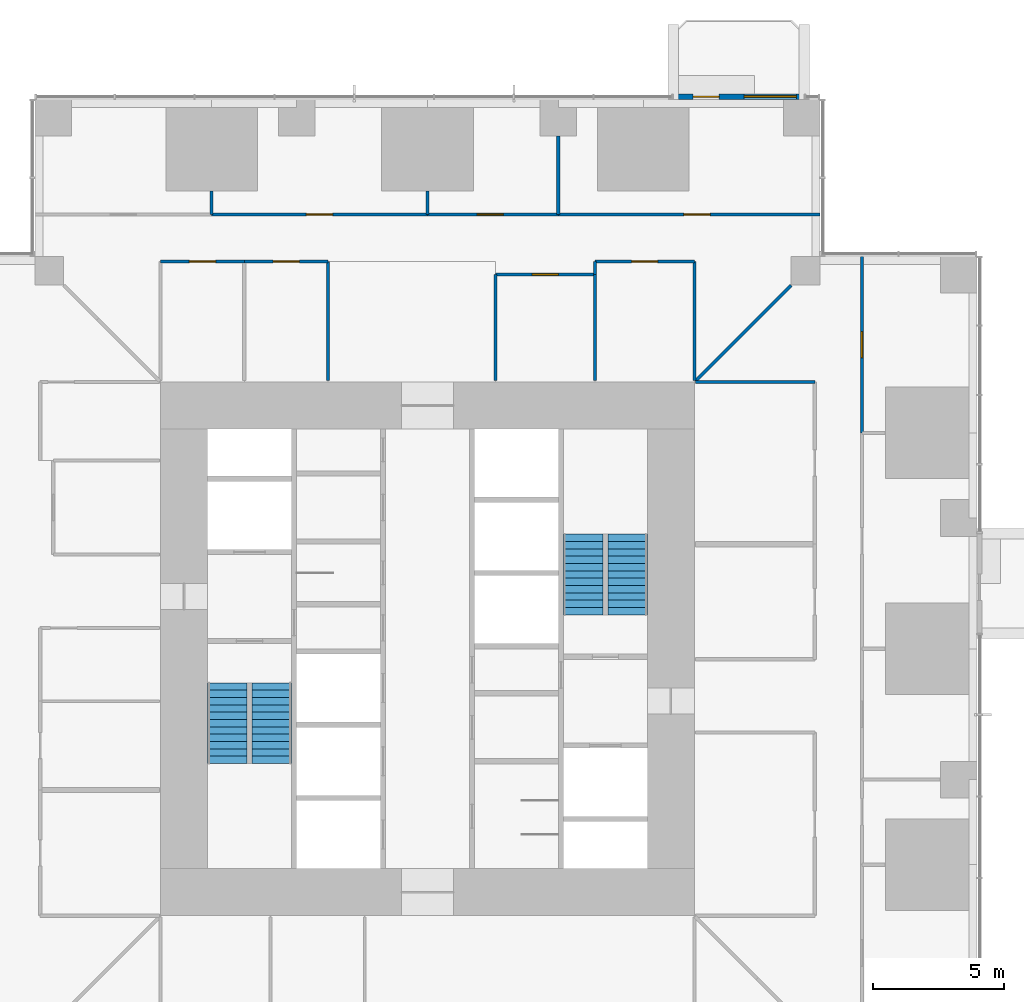
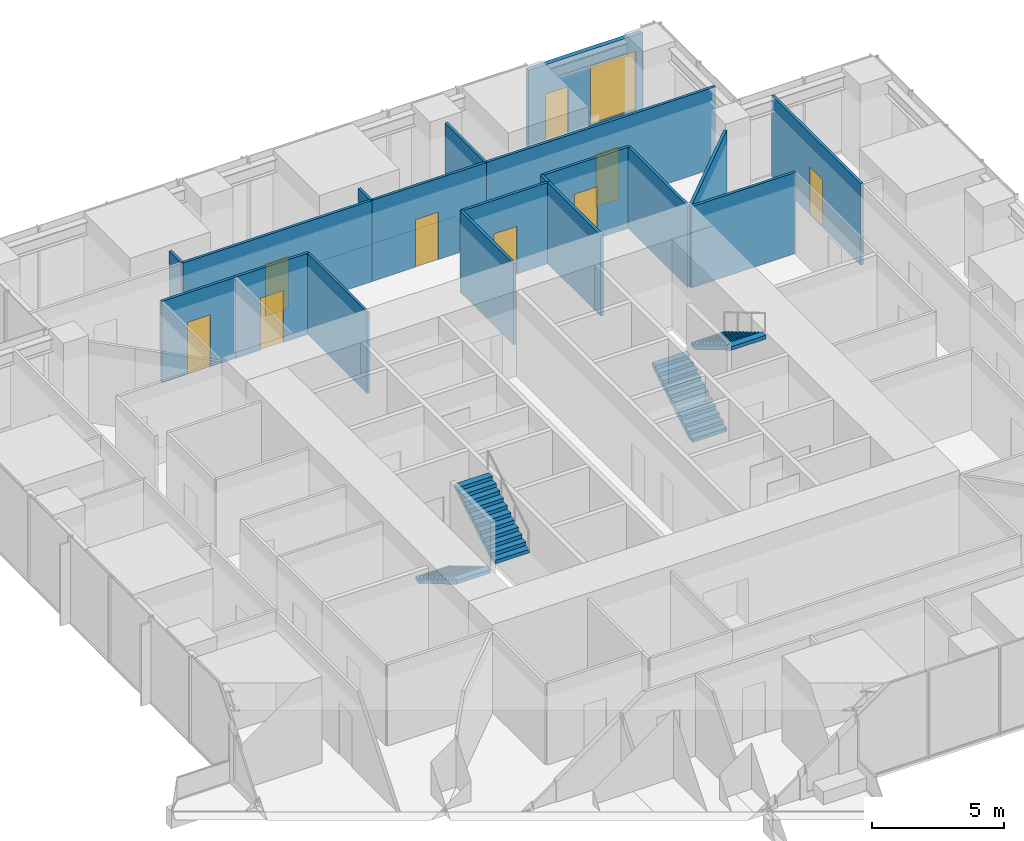
# One storey, part 14 of 18: 19 walls, 9 doors, 4 stair flights, 1 window, 10 openings, 2 elements without a shape of their own.
"""IFC4 building model written with IfcOpenShell, lengths in metres."""

import ifcopenshell
import ifcopenshell.guid

model = None  # the IFC model being written
_history = None  # IfcOwnerHistory: only IFC2X3 demands one
_inside = {}  # id of a spatial element -> (the spatial element, [elements in it])
_under = {}  # id of a project, library or spatial element -> (it, [spatial elements below it])
_declared = {}  # id of a project -> (the project, [libraries it declares])
_typed = {}  # id of a type object -> (the type object, [elements of that type])
_made_of = {}  # id of a material, layer set ... -> (it, [elements and type objects made of it])


def new_model(schema):
    """Start an empty IFC model of exactly this schema.

    Asked for "IFC4X3", IfcOpenShell would pick the latest addendum, in which some entities
    have other attributes; the version numbers below select the first issue.
    IFC2X3 requires an IfcOwnerHistory on every rooted entity: one is made here for all.
    """
    global model, _history
    if schema == "IFC4X3":
        model = ifcopenshell.file(schema_version=(4, 3, 0, 0))
    else:
        model = ifcopenshell.file(schema=schema)
    _inside.clear()
    _under.clear()
    _declared.clear()
    _typed.clear()
    _made_of.clear()
    _history = None
    if model.schema == "IFC2X3":
        org = make("IfcOrganization", Name="unknown")
        user = make(
            "IfcPersonAndOrganization",
            ThePerson=make("IfcPerson", FamilyName="unknown"),
            TheOrganization=org,
        )
        app = make(
            "IfcApplication",
            ApplicationDeveloper=org,
            Version="unknown",
            ApplicationFullName="unknown",
            ApplicationIdentifier="unknown",
        )
        _history = make(
            "IfcOwnerHistory",
            OwningUser=user,
            OwningApplication=app,
            ChangeAction="ADDED",
            CreationDate=0,
        )
    return model


def make(cls, **values):
    """One entity of the class cls with the attributes given. An attribute that is None is left unset."""
    return model.create_entity(
        cls, **{name: value for name, value in values.items() if value is not None}
    )


def rooted(cls, **values):
    """An entity with a GlobalId (a new one), such as an element, a storey or a relation."""
    return make(cls, GlobalId=ifcopenshell.guid.new(), OwnerHistory=_history, **values)


def si_unit(unit_type, name, prefix=None):
    """IfcSIUnit, for example si_unit("LENGTHUNIT", "METRE", prefix="MILLI")."""
    return make("IfcSIUnit", UnitType=unit_type, Prefix=prefix, Name=name)


def assignment(units):
    """IfcUnitAssignment: the units of a project."""
    return None if units is None else make("IfcUnitAssignment", Units=units)


def point(xyz):
    """IfcCartesianPoint."""
    return None if xyz is None else make("IfcCartesianPoint", Coordinates=xyz)


def direction(xyz):
    """IfcDirection."""
    return None if xyz is None else make("IfcDirection", DirectionRatios=xyz)


def frame(location, z_axis=None, x_axis=None):
    """IfcAxis2Placement3D, a coordinate frame: its origin and axes. An axis left out is left unset."""
    return make(
        "IfcAxis2Placement3D",
        Location=point(location),
        Axis=direction(z_axis),
        RefDirection=direction(x_axis),
    )


def frame_2d(location, x_axis=None):
    """IfcAxis2Placement2D, a coordinate frame in the plane: its origin and x axis."""
    return make(
        "IfcAxis2Placement2D", Location=point(location), RefDirection=direction(x_axis)
    )


def origin():
    """The frame at (0, 0, 0) with its axes left unset."""
    return frame((0.0, 0.0, 0.0))


def place(relative_to, where):
    """IfcLocalPlacement: puts the frame where relative to a parent placement (None: the world)."""
    return make(
        "IfcLocalPlacement", PlacementRelTo=relative_to, RelativePlacement=where
    )


def context(
    kind, dimensions, precision=None, world=None, true_north=None, identifier=None
):
    """IfcGeometricRepresentationContext, for example the 3D "Model" context."""
    return make(
        "IfcGeometricRepresentationContext",
        ContextIdentifier=identifier,
        ContextType=kind,
        CoordinateSpaceDimension=dimensions,
        Precision=precision,
        WorldCoordinateSystem=world,
        TrueNorth=true_north,
    )


def subcontext(parent, identifier, kind, view, scale=None):
    """IfcGeometricRepresentationSubContext, for example "Body" below "Model"."""
    return make(
        "IfcGeometricRepresentationSubContext",
        ContextIdentifier=identifier,
        ContextType=kind,
        ParentContext=parent,
        TargetScale=scale,
        TargetView=view,
    )


def project(units=None, contexts=None):
    """IfcProject with its units and contexts."""
    return rooted(
        "IfcProject",
        Name="project",
        RepresentationContexts=contexts,
        UnitsInContext=assignment(units),
    )


def spatial(cls, under=None, at=None, **own):
    """A site, building, storey or space (cls), placed at a placement, below another one or the project."""
    s = rooted(cls, ObjectPlacement=at, **own)
    if under is not None:
        _under.setdefault(under.id(), (under, []))[1].append(s)
    return s


def polyline(points):
    """IfcPolyline through the points."""
    return make("IfcPolyline", Points=[point(p) for p in points])


def profile(cls, at=None, kind="AREA", **sizes):
    """A parametric profile (cls). Its sizes go by their IFC names, for example OverallWidth=200.0."""
    return make(cls, ProfileType=kind, Position=at, **sizes)


def rectangle(**sizes):
    """IfcRectangleProfileDef."""
    return profile("IfcRectangleProfileDef", **sizes)


def outline(outer, holes=None, kind="AREA"):
    """IfcArbitraryClosedProfileDef: a profile drawn as a closed curve; with holes, ...WithVoids."""
    if holes is None:
        return make("IfcArbitraryClosedProfileDef", ProfileType=kind, OuterCurve=outer)
    return make(
        "IfcArbitraryProfileDefWithVoids",
        ProfileType=kind,
        OuterCurve=outer,
        InnerCurves=holes,
    )


def extrude(swept, where, along, depth):
    """IfcExtrudedAreaSolid: the profile swept, set in the frame where, extruded along a direction by depth."""
    return make(
        "IfcExtrudedAreaSolid",
        SweptArea=swept,
        Position=where,
        ExtrudedDirection=direction(along),
        Depth=depth,
    )


def shape(context_of_items, identifier, shape_type, items):
    """IfcShapeRepresentation: the items that make up one representation, for example the "Body"."""
    return make(
        "IfcShapeRepresentation",
        ContextOfItems=context_of_items,
        RepresentationIdentifier=identifier,
        RepresentationType=shape_type,
        Items=items,
    )


def material(Name=None, Category=None):
    """IfcMaterial."""
    return make("IfcMaterial", Name=Name, Category=Category)


def layer(
    of_material, thickness, ventilated=None, Name=None, Category=None, Priority=None
):
    """IfcMaterialLayer: one layer of a wall or slab, of a material (None: an air gap)."""
    return make(
        "IfcMaterialLayer",
        Material=of_material,
        LayerThickness=thickness,
        IsVentilated=ventilated,
        Name=Name,
        Category=Category,
        Priority=Priority,
    )


def layer_set(layers, Name=None):
    """IfcMaterialLayerSet."""
    return make("IfcMaterialLayerSet", MaterialLayers=layers, LayerSetName=Name)


def made_of(thing, what):
    """Note that an element or type object is made of a material, layer set ...; save() writes the relation."""
    if what is not None:
        _made_of.setdefault(what.id(), (what, []))[1].append(thing)
    return thing


def type_object(cls, material=None, **own):
    """A type object (cls), such as IfcWallType, which elements share."""
    return made_of(rooted(cls, **own), material)


def element(
    cls,
    number,
    at=None,
    inside=None,
    cuts=None,
    type_object=None,
    material=None,
    context=None,
    identifier="Body",
    shape_type=None,
    held_by="IfcProductDefinitionShape",
    body=None,
    shapes=None,
    **own,
):
    """One element of the class cls, such as IfcWall. Its Tag is "e" and its number.

    at: its placement. inside: the storey or other place that contains it. cuts: it is an
    opening in that element (IfcRelVoidsElement). A single representation is given by context,
    identifier, shape_type and body (its items); several are given by shapes. held_by: the class
    of the entity that holds the representations. save() writes the other relations.
    """
    e = rooted(cls, Tag="e%d" % number, ObjectPlacement=at, **own)
    if body is not None:
        shapes = [shape(context, identifier, shape_type, body)]
    if shapes is not None:
        e.Representation = make(held_by, Representations=shapes)
    if inside is not None:
        _inside.setdefault(inside.id(), (inside, []))[1].append(e)
    if cuts is not None:
        rooted(
            "IfcRelVoidsElement", RelatingBuildingElement=cuts, RelatedOpeningElement=e
        )
    if type_object is not None:
        _typed.setdefault(type_object.id(), (type_object, []))[1].append(e)
    return made_of(e, material)


def fill(opening, filler):
    """IfcRelFillsElement: the door or window that sits in an opening."""
    return rooted(
        "IfcRelFillsElement",
        RelatingOpeningElement=opening,
        RelatedBuildingElement=filler,
    )


def aggregate(whole, parts):
    """IfcRelAggregates: a whole, such as a stair, and the parts it consists of."""
    return rooted("IfcRelAggregates", RelatingObject=whole, RelatedObjects=parts)


def save(model, path):
    """Write the relations noted so far, then the file.

    IfcRelAggregates (storeys below a building ...), IfcRelContainedInSpatialStructure (elements
    in a storey), IfcRelDefinesByType, IfcRelAssociatesMaterial and IfcRelDeclares: one each for
    every whole, place, type object, material and project.
    """
    for whole, parts in _under.values():
        aggregate(whole, parts)
    for where, things in _inside.values():
        rooted(
            "IfcRelContainedInSpatialStructure",
            RelatedElements=things,
            RelatingStructure=where,
        )
    for kind, things in _typed.values():
        rooted("IfcRelDefinesByType", RelatedObjects=things, RelatingType=kind)
    for what, things in _made_of.values():
        rooted("IfcRelAssociatesMaterial", RelatedObjects=things, RelatingMaterial=what)
    for by, libraries in _declared.values():
        rooted("IfcRelDeclares", RelatingContext=by, RelatedDefinitions=libraries)
    model.write(path)


model = new_model("IFC4")

# Units and contexts
model_context = context("Model", 3, precision=1e-05, world=origin(), true_north=direction((0.0, 1.0)))
body_context = subcontext(model_context, "Body", "Model", "MODEL_VIEW")
ifc_project = project(units=[si_unit("LENGTHUNIT", "METRE"), si_unit("AREAUNIT", "SQUARE_METRE"), si_unit("VOLUMEUNIT", "CUBIC_METRE"), si_unit("PLANEANGLEUNIT", "RADIAN"), si_unit("MASSUNIT", "GRAM", prefix="KILO")], contexts=[model_context])

# Site, building, storey
site_placement = place(None, origin())
site = spatial("IfcSite", under=ifc_project, at=site_placement, CompositionType="ELEMENT")
building_placement = place(site_placement, origin())
building = spatial("IfcBuilding", under=site, at=building_placement, Name="Svetlomir Tower", CompositionType="ELEMENT")
storey_placement = place(building_placement, frame((0.0, 0.0, 78.5)))
storey = spatial("IfcBuildingStorey", under=building, at=storey_placement, Name="L18", CompositionType="ELEMENT", Elevation=78.5)

# Wall, openings, door, window
ifc_material_1 = material(Name="Bronze anodised aluminium glazed screen", Category="aluminium")
ifc_layer_1 = layer(ifc_material_1, 0.199951171875)
ifc_layer_set_1 = layer_set([ifc_layer_1], Name="Bronze anodised aluminium glazed screen")
wall_type_1 = type_object("IfcWallType", Name="BALCONY SCREEN WALL 200", PredefinedType="USERDEFINED", material=ifc_layer_set_1)
wall_1_placement = place(storey_placement, frame((35.39990234375, 42.10009765625, 0.0), z_axis=(0.0, 0.0, 1.0), x_axis=(-1.0, 0.0, 0.0)))
wall_1 = element("IfcWall", 1, at=wall_1_placement, inside=storey, type_object=wall_type_1, Name="Balcony screen N", ObjectType="GLAZED SCREEN", PredefinedType="USERDEFINED", context=body_context, shape_type="SweptSolid", body=[
    extrude(rectangle(XDim=5.0, YDim=0.199951171875, at=frame_2d((2.5, 0.0))), origin(), (0.0, 0.0, 1.0), 3.75),
])
opening_1_placement = place(wall_1_placement, frame((3.25, 0.0, 0.0)))
opening_1 = element("IfcOpeningElement", 2, at=opening_1_placement, cuts=wall_1, Name="Opening BD", PredefinedType="OPENING", context=body_context, shape_type="SweptSolid", body=[
    extrude(rectangle(XDim=1.0, YDim=2.39990234375, at=frame_2d((0.5, 1.199951171875))), frame((0.0, 0.10986328125, 0.0), z_axis=(0.0, -1.0, 0.0), x_axis=(1.0, 0.0, 0.0)), (0.0, 0.0, 1.0), 0.219970703125),
])
opening_2_placement = place(wall_1_placement, frame((0.300048828125, 0.0, 0.300048828125)))
opening_2 = element("IfcOpeningElement", 3, at=opening_2_placement, cuts=wall_1, Name="Opening WS", PredefinedType="OPENING", context=body_context, shape_type="SweptSolid", body=[
    extrude(rectangle(XDim=2.0, YDim=2.699951171875, at=frame_2d((1.0, 1.35009765625))), frame((0.0, 0.10986328125, 0.0), z_axis=(0.0, -1.0, 0.0), x_axis=(1.0, 0.0, 0.0)), (0.0, 0.0, 1.0), 0.219970703125),
])
ifc_material_2 = material(Name="Bronze anodised aluminium glazed door", Category="aluminium")
door_type_1 = type_object("IfcDoorType", Name="BALCONY DOOR BD 1000x2400", OperationType="SINGLE_SWING_LEFT", PredefinedType="DOOR", material=ifc_material_2)
door_1_placement = place(opening_1_placement, origin())
door_1 = element("IfcDoor", 4, at=door_1_placement, inside=storey, type_object=door_type_1, Name="Balcony screen N door", OperationType="SINGLE_SWING_LEFT", OverallHeight=2.39990234375, OverallWidth=1.0, PredefinedType="DOOR", context=body_context, shape_type="SweptSolid", body=[
    extrude(rectangle(XDim=1.0, YDim=2.39990234375, at=frame_2d((0.5, 1.199951171875))), frame((0.0, 0.02490234375, 0.0), z_axis=(0.0, -1.0, 0.0), x_axis=(1.0, 0.0, 0.0)), (0.0, 0.0, 1.0), 0.050048828125),
])
fill(opening_1, door_1)
ifc_material_3 = material(Name="Bronze anodised aluminium window", Category="aluminium")
window_type = type_object("IfcWindowType", Name="SCREEN WINDOW WS 2000x2700", PartitioningType="SINGLE_PANEL", PredefinedType="WINDOW", material=ifc_material_3)
window_placement = place(opening_2_placement, origin())
window = element("IfcWindow", 5, at=window_placement, inside=storey, type_object=window_type, Name="Balcony screen N window 1", OverallHeight=2.699951171875, OverallWidth=2.0, PartitioningType="SINGLE_PANEL", PredefinedType="WINDOW", context=body_context, shape_type="SweptSolid", body=[
    extrude(rectangle(XDim=2.0, YDim=2.699951171875, at=frame_2d((1.0, 1.35009765625))), frame((0.0, 0.030029296875, 0.0), z_axis=(0.0, -1.0, 0.0), x_axis=(1.0, 0.0, 0.0)), (0.0, 0.0, 1.0), 0.06005859375),
])
fill(opening_2, window)

# Wall
ifc_material_4 = material(Name="Framed laminated glass partition", Category="glass")
ifc_layer_2 = layer(ifc_material_4, 0.10009765625)
ifc_layer_set_2 = layer_set([ifc_layer_2], Name="Framed laminated glass partition")
wall_type_2 = type_object("IfcWallType", Name="GLAZED PARTITION 100", PredefinedType="PARTITIONING", material=ifc_layer_set_2)
wall_2_placement = place(storey_placement, frame((17.199951171875, 31.25, 0.0), z_axis=(0.0, 0.0, 1.0), x_axis=(0.0, 1.0, 0.0)))
element("IfcWall", 6, at=wall_2_placement, inside=storey, type_object=wall_type_2, Name="Glazed partition L18", PredefinedType="PARTITIONING", context=body_context, shape_type="SweptSolid", body=[
    extrude(rectangle(XDim=4.550048828125, YDim=0.10009765625, at=frame_2d((2.27490234375, 0.0))), origin(), (0.0, 0.0, 1.0), 3.75),
])

# Wall, opening, door
ifc_material_5 = material(Name="Gypsum board on steel studs", Category="steel")
ifc_layer_3 = layer(ifc_material_5, 0.1201171875)
ifc_layer_set_3 = layer_set([ifc_layer_3], Name="Gypsum board on steel studs")
wall_type_3 = type_object("IfcWallType", Name="PARTITION 120", PredefinedType="PARTITIONING", material=ifc_layer_set_3)
wall_3_placement = place(storey_placement, frame((10.800048828125, 35.800048828125, 0.0), z_axis=(0.0, 0.0, 1.0), x_axis=(1.0, 0.0, 0.0)))
wall_3 = element("IfcWall", 7, at=wall_3_placement, inside=storey, type_object=wall_type_3, Name="Partition L18", PredefinedType="PARTITIONING", context=body_context, shape_type="SweptSolid", body=[
    extrude(rectangle(XDim=3.199951171875, YDim=0.1201171875, at=frame_2d((1.60009765625, 0.0))), origin(), (0.0, 0.0, 1.0), 3.75),
])
opening_3_placement = place(wall_3_placement, frame((1.10009765625, 0.0, 0.0)))
opening_3 = element("IfcOpeningElement", 8, at=opening_3_placement, cuts=wall_3, Name="Opening DG", PredefinedType="OPENING", context=body_context, shape_type="SweptSolid", body=[
    extrude(rectangle(XDim=1.0, YDim=2.39990234375, at=frame_2d((0.5, 1.199951171875))), frame((0.0, 0.070068359375, 0.0), z_axis=(0.0, -1.0, 0.0), x_axis=(1.0, 0.0, 0.0)), (0.0, 0.0, 1.0), 0.14013671875),
])
ifc_material_6 = material(Name="Framed laminated glass door", Category="glass")
door_type_2 = type_object("IfcDoorType", Name="GLAZED DOOR DG 1000x2400", OperationType="SINGLE_SWING_LEFT", PredefinedType="DOOR", material=ifc_material_6)
door_2_placement = place(opening_3_placement, origin())
door_2 = element("IfcDoor", 9, at=door_2_placement, inside=storey, type_object=door_type_2, Name="Focus room 1 door L18", OperationType="SINGLE_SWING_RIGHT", OverallHeight=2.39990234375, OverallWidth=1.0, PredefinedType="DOOR", context=body_context, shape_type="SweptSolid", body=[
    extrude(rectangle(XDim=1.0, YDim=2.39990234375, at=frame_2d((0.5, 1.199951171875))), frame((0.0, 0.02490234375, 0.0), z_axis=(0.0, -1.0, 0.0), x_axis=(1.0, 0.0, 0.0)), (0.0, 0.0, 1.0), 0.050048828125),
])
fill(opening_3, door_2)

# Wall
wall_4_placement = place(storey_placement, frame((12.75, 37.60009765625, 0.0), z_axis=(0.0, 0.0, 1.0), x_axis=(0.0, 1.0, 0.0)))
element("IfcWall", 10, at=wall_4_placement, inside=storey, type_object=wall_type_3, Name="Partition L18", PredefinedType="PARTITIONING", context=body_context, shape_type="SweptSolid", body=[
    extrude(rectangle(XDim=0.889892578125, YDim=0.1201171875, at=frame_2d((0.44482421875, 0.0))), origin(), (0.0, 0.0, 1.0), 3.75),
])

# Wall, opening, door
wall_5_placement = place(storey_placement, frame((12.75, 37.60009765625, 0.0), z_axis=(0.0, 0.0, 1.0), x_axis=(1.0, 0.0, 0.0)))
wall_5 = element("IfcWall", 11, at=wall_5_placement, inside=storey, type_object=wall_type_3, Name="Partition L18", PredefinedType="PARTITIONING", context=body_context, shape_type="SweptSolid", body=[
    extrude(rectangle(XDim=8.25, YDim=0.1201171875, at=frame_2d((4.125, 0.0))), origin(), (0.0, 0.0, 1.0), 3.75),
])
opening_4_placement = place(wall_5_placement, frame((3.625, 0.0, 0.0)))
opening_4 = element("IfcOpeningElement", 12, at=opening_4_placement, cuts=wall_5, Name="Opening DG", PredefinedType="OPENING", context=body_context, shape_type="SweptSolid", body=[
    extrude(rectangle(XDim=1.0, YDim=2.39990234375, at=frame_2d((0.5, 1.199951171875))), frame((0.0, 0.070068359375, 0.0), z_axis=(0.0, -1.0, 0.0), x_axis=(1.0, 0.0, 0.0)), (0.0, 0.0, 1.0), 0.14013671875),
])
door_3_placement = place(opening_4_placement, origin())
door_3 = element("IfcDoor", 13, at=door_3_placement, inside=storey, type_object=door_type_2, Name="Ring corridor 4 door 1 L18", OperationType="SINGLE_SWING_LEFT", OverallHeight=2.39990234375, OverallWidth=1.0, PredefinedType="DOOR", context=body_context, shape_type="SweptSolid", body=[
    extrude(rectangle(XDim=1.0, YDim=2.39990234375, at=frame_2d((0.5, 1.199951171875))), frame((0.0, 0.02490234375, 0.0), z_axis=(0.0, -1.0, 0.0), x_axis=(1.0, 0.0, 0.0)), (0.0, 0.0, 1.0), 0.050048828125),
])
fill(opening_4, door_3)

wall_6_placement = place(storey_placement, frame((14.0, 35.800048828125, 0.0), z_axis=(0.0, 0.0, 1.0), x_axis=(1.0, 0.0, 0.0)))
wall_6 = element("IfcWall", 14, at=wall_6_placement, inside=storey, type_object=wall_type_3, Name="Partition L18", PredefinedType="PARTITIONING", context=body_context, shape_type="SweptSolid", body=[
    extrude(rectangle(XDim=3.199951171875, YDim=0.1201171875, at=frame_2d((1.60009765625, 0.0))), origin(), (0.0, 0.0, 1.0), 3.75),
])
opening_5_placement = place(wall_6_placement, frame((1.10009765625, 0.0, 0.0)))
opening_5 = element("IfcOpeningElement", 15, at=opening_5_placement, cuts=wall_6, Name="Opening DG", PredefinedType="OPENING", context=body_context, shape_type="SweptSolid", body=[
    extrude(rectangle(XDim=1.0, YDim=2.39990234375, at=frame_2d((0.5, 1.199951171875))), frame((0.0, 0.070068359375, 0.0), z_axis=(0.0, -1.0, 0.0), x_axis=(1.0, 0.0, 0.0)), (0.0, 0.0, 1.0), 0.14013671875),
])
door_4_placement = place(opening_5_placement, origin())
door_4 = element("IfcDoor", 16, at=door_4_placement, inside=storey, type_object=door_type_2, Name="Focus room 2 door L18", OperationType="SINGLE_SWING_LEFT", OverallHeight=2.39990234375, OverallWidth=1.0, PredefinedType="DOOR", context=body_context, shape_type="SweptSolid", body=[
    extrude(rectangle(XDim=1.0, YDim=2.39990234375, at=frame_2d((0.5, 1.199951171875))), frame((0.0, 0.02490234375, 0.0), z_axis=(0.0, -1.0, 0.0), x_axis=(1.0, 0.0, 0.0)), (0.0, 0.0, 1.0), 0.050048828125),
])
fill(opening_5, door_4)

# Wall
wall_7_placement = place(storey_placement, frame((21.0, 37.60009765625, 0.0), z_axis=(0.0, 0.0, 1.0), x_axis=(0.0, 1.0, 0.0)))
element("IfcWall", 17, at=wall_7_placement, inside=storey, type_object=wall_type_3, Name="Partition L18", PredefinedType="PARTITIONING", context=body_context, shape_type="SweptSolid", body=[
    extrude(rectangle(XDim=0.889892578125, YDim=0.1201171875, at=frame_2d((0.44482421875, 0.0))), origin(), (0.0, 0.0, 1.0), 3.75),
])

# Wall, opening, door
wall_8_placement = place(storey_placement, frame((21.0, 37.60009765625, 0.0), z_axis=(0.0, 0.0, 1.0), x_axis=(1.0, 0.0, 0.0)))
wall_8 = element("IfcWall", 18, at=wall_8_placement, inside=storey, type_object=wall_type_3, Name="Partition L18", PredefinedType="PARTITIONING", context=body_context, shape_type="SweptSolid", body=[
    extrude(rectangle(XDim=5.0, YDim=0.1201171875, at=frame_2d((2.5, 0.0))), origin(), (0.0, 0.0, 1.0), 3.75),
])
opening_6_placement = place(wall_8_placement, frame((1.89990234375, 0.0, 0.0)))
opening_6 = element("IfcOpeningElement", 19, at=opening_6_placement, cuts=wall_8, Name="Opening DR", PredefinedType="OPENING", context=body_context, shape_type="SweptSolid", body=[
    extrude(rectangle(XDim=1.0, YDim=2.199951171875, at=frame_2d((0.5, 1.10009765625))), frame((0.0, 0.070068359375, 0.0), z_axis=(0.0, -1.0, 0.0), x_axis=(1.0, 0.0, 0.0)), (0.0, 0.0, 1.0), 0.14013671875),
])
ifc_material_7 = material(Name="Timber door, glazed side light", Category="wood")
door_type_3 = type_object("IfcDoorType", Name="DOOR DR 1000x2200", OperationType="SINGLE_SWING_LEFT", PredefinedType="DOOR", material=ifc_material_7)
door_5_placement = place(opening_6_placement, origin())
door_5 = element("IfcDoor", 20, at=door_5_placement, inside=storey, type_object=door_type_3, Name="Money laundering reporting office door L18", OperationType="SINGLE_SWING_LEFT", OverallHeight=2.199951171875, OverallWidth=1.0, PredefinedType="DOOR", context=body_context, shape_type="SweptSolid", body=[
    extrude(rectangle(XDim=1.0, YDim=2.199951171875, at=frame_2d((0.5, 1.10009765625))), frame((0.0, 0.02490234375, 0.0), z_axis=(0.0, -1.0, 0.0), x_axis=(1.0, 0.0, 0.0)), (0.0, 0.0, 1.0), 0.050048828125),
])
fill(opening_6, door_5)

# Wall
wall_9_placement = place(storey_placement, frame((23.60009765625, 31.25, 0.0), z_axis=(0.0, 0.0, 1.0), x_axis=(0.0, 1.0, 0.0)))
element("IfcWall", 21, at=wall_9_placement, inside=storey, type_object=wall_type_3, Name="Partition L18", PredefinedType="PARTITIONING", context=body_context, shape_type="SweptSolid", body=[
    extrude(rectangle(XDim=4.050048828125, YDim=0.1201171875, at=frame_2d((2.02490234375, 0.0))), origin(), (0.0, 0.0, 1.0), 3.75),
])

# Wall, opening, door
wall_10_placement = place(storey_placement, frame((23.60009765625, 35.300048828125, 0.0), z_axis=(0.0, 0.0, 1.0), x_axis=(1.0, 0.0, 0.0)))
wall_10 = element("IfcWall", 22, at=wall_10_placement, inside=storey, type_object=wall_type_3, Name="Partition L18", PredefinedType="PARTITIONING", context=body_context, shape_type="SweptSolid", body=[
    extrude(rectangle(XDim=3.7998046875, YDim=0.1201171875, at=frame_2d((1.89990234375, 0.0))), origin(), (0.0, 0.0, 1.0), 3.75),
])
opening_7_placement = place(wall_10_placement, frame((1.39990234375, 0.0, 0.0)))
opening_7 = element("IfcOpeningElement", 23, at=opening_7_placement, cuts=wall_10, Name="Opening DR", PredefinedType="OPENING", context=body_context, shape_type="SweptSolid", body=[
    extrude(rectangle(XDim=1.0, YDim=2.199951171875, at=frame_2d((0.5, 1.10009765625))), frame((0.0, 0.070068359375, 0.0), z_axis=(0.0, -1.0, 0.0), x_axis=(1.0, 0.0, 0.0)), (0.0, 0.0, 1.0), 0.14013671875),
])
door_6_placement = place(opening_7_placement, origin())
door_6 = element("IfcDoor", 24, at=door_6_placement, inside=storey, type_object=door_type_3, Name="Print and copy room door L18", OperationType="SINGLE_SWING_RIGHT", OverallHeight=2.199951171875, OverallWidth=1.0, PredefinedType="DOOR", context=body_context, shape_type="SweptSolid", body=[
    extrude(rectangle(XDim=1.0, YDim=2.199951171875, at=frame_2d((0.5, 1.10009765625))), frame((0.0, 0.02490234375, 0.0), z_axis=(0.0, -1.0, 0.0), x_axis=(1.0, 0.0, 0.0)), (0.0, 0.0, 1.0), 0.050048828125),
])
fill(opening_7, door_6)

# Wall
wall_11_placement = place(storey_placement, frame((26.0, 37.60009765625, 0.0), z_axis=(0.0, 0.0, 1.0), x_axis=(0.0, 1.0, 0.0)))
element("IfcWall", 25, at=wall_11_placement, inside=storey, type_object=wall_type_3, Name="Partition L18", PredefinedType="PARTITIONING", context=body_context, shape_type="SweptSolid", body=[
    extrude(rectangle(XDim=2.989990234375, YDim=0.1201171875, at=frame_2d((1.4951171875, 0.0))), origin(), (0.0, 0.0, 1.0), 3.75),
])

# Wall, opening, door
wall_12_placement = place(storey_placement, frame((26.0, 37.60009765625, 0.0), z_axis=(0.0, 0.0, 1.0), x_axis=(1.0, 0.0, 0.0)))
wall_12 = element("IfcWall", 26, at=wall_12_placement, inside=storey, type_object=wall_type_3, Name="Partition L18", PredefinedType="PARTITIONING", context=body_context, shape_type="SweptSolid", body=[
    extrude(rectangle(XDim=10.0, YDim=0.1201171875, at=frame_2d((5.0, 0.0))), origin(), (0.0, 0.0, 1.0), 3.75),
])
opening_8_placement = place(wall_12_placement, frame((4.800048828125, 0.0, 0.0)))
opening_8 = element("IfcOpeningElement", 27, at=opening_8_placement, cuts=wall_12, Name="Opening DG", PredefinedType="OPENING", context=body_context, shape_type="SweptSolid", body=[
    extrude(rectangle(XDim=1.0, YDim=2.39990234375, at=frame_2d((0.5, 1.199951171875))), frame((0.0, 0.070068359375, 0.0), z_axis=(0.0, -1.0, 0.0), x_axis=(1.0, 0.0, 0.0)), (0.0, 0.0, 1.0), 0.14013671875),
])
door_7_placement = place(opening_8_placement, origin())
door_7 = element("IfcDoor", 28, at=door_7_placement, inside=storey, type_object=door_type_2, Name="Ring corridor 4 door 2 L18", OperationType="SINGLE_SWING_RIGHT", OverallHeight=2.39990234375, OverallWidth=1.0, PredefinedType="DOOR", context=body_context, shape_type="SweptSolid", body=[
    extrude(rectangle(XDim=1.0, YDim=2.39990234375, at=frame_2d((0.5, 1.199951171875))), frame((0.0, 0.02490234375, 0.0), z_axis=(0.0, -1.0, 0.0), x_axis=(1.0, 0.0, 0.0)), (0.0, 0.0, 1.0), 0.050048828125),
])
fill(opening_8, door_7)

# Walls
wall_13_placement = place(storey_placement, frame((27.39990234375, 31.25, 0.0), z_axis=(0.0, 0.0, 1.0), x_axis=(0.0, 1.0, 0.0)))
element("IfcWall", 29, at=wall_13_placement, inside=storey, type_object=wall_type_3, Name="Partition L18", PredefinedType="PARTITIONING", context=body_context, shape_type="SweptSolid", body=[
    extrude(rectangle(XDim=4.050048828125, YDim=0.1201171875, at=frame_2d((2.02490234375, 0.0))), origin(), (0.0, 0.0, 1.0), 3.75),
])
wall_14_placement = place(storey_placement, frame((27.39990234375, 35.300048828125, 0.0), z_axis=(0.0, 0.0, 1.0), x_axis=(0.0, 1.0, 0.0)))
element("IfcWall", 30, at=wall_14_placement, inside=storey, type_object=wall_type_3, Name="Partition L18", PredefinedType="PARTITIONING", context=body_context, shape_type="SweptSolid", body=[
    extrude(rectangle(XDim=0.5, YDim=0.1201171875, at=frame_2d((0.25, 0.0))), origin(), (0.0, 0.0, 1.0), 3.75),
])

# Wall, opening, door
wall_15_placement = place(storey_placement, frame((27.39990234375, 35.800048828125, 0.0), z_axis=(0.0, 0.0, 1.0), x_axis=(1.0, 0.0, 0.0)))
wall_15 = element("IfcWall", 31, at=wall_15_placement, inside=storey, type_object=wall_type_3, Name="Partition L18", PredefinedType="PARTITIONING", context=body_context, shape_type="SweptSolid", body=[
    extrude(rectangle(XDim=3.800048828125, YDim=0.1201171875, at=frame_2d((1.89990234375, 0.0))), origin(), (0.0, 0.0, 1.0), 3.75),
])
opening_9_placement = place(wall_15_placement, frame((1.39990234375, 0.0, 0.0)))
opening_9 = element("IfcOpeningElement", 32, at=opening_9_placement, cuts=wall_15, Name="Opening DG", PredefinedType="OPENING", context=body_context, shape_type="SweptSolid", body=[
    extrude(rectangle(XDim=1.0, YDim=2.39990234375, at=frame_2d((0.5, 1.199951171875))), frame((0.0, 0.070068359375, 0.0), z_axis=(0.0, -1.0, 0.0), x_axis=(1.0, 0.0, 0.0)), (0.0, 0.0, 1.0), 0.14013671875),
])
door_8_placement = place(opening_9_placement, origin())
door_8 = element("IfcDoor", 33, at=door_8_placement, inside=storey, type_object=door_type_2, Name="Audit team room, 6 seats door L18", OperationType="SINGLE_SWING_LEFT", OverallHeight=2.39990234375, OverallWidth=1.0, PredefinedType="DOOR", context=body_context, shape_type="SweptSolid", body=[
    extrude(rectangle(XDim=1.0, YDim=2.39990234375, at=frame_2d((0.5, 1.199951171875))), frame((0.0, 0.02490234375, 0.0), z_axis=(0.0, -1.0, 0.0), x_axis=(1.0, 0.0, 0.0)), (0.0, 0.0, 1.0), 0.050048828125),
])
fill(opening_9, door_8)

# Walls
wall_16_placement = place(storey_placement, frame((31.199951171875, 31.25, 0.0), z_axis=(0.0, 0.0, 1.0), x_axis=(0.0, 1.0, 0.0)))
element("IfcWall", 34, at=wall_16_placement, inside=storey, type_object=wall_type_3, Name="Partition L18", PredefinedType="PARTITIONING", context=body_context, shape_type="SweptSolid", body=[
    extrude(rectangle(XDim=4.550048828125, YDim=0.1201171875, at=frame_2d((2.27490234375, 0.0))), origin(), (0.0, 0.0, 1.0), 3.75),
])
wall_17_placement = place(storey_placement, frame((31.2353515625, 31.2353515625, 0.0), z_axis=(0.0, 0.0, 1.0), x_axis=(0.707106781187, 0.707106781187, 0.0)))
element("IfcWall", 35, at=wall_17_placement, inside=storey, type_object=wall_type_3, Name="Partition L18", PredefinedType="PARTITIONING", context=body_context, shape_type="SweptSolid", body=[
    extrude(rectangle(XDim=5.168212890625, YDim=0.1201171875, at=frame_2d((2.583984375, 0.0))), origin(), (0.0, 0.0, 1.0), 3.75),
])
wall_18_placement = place(storey_placement, frame((31.25, 31.199951171875, 0.0), z_axis=(0.0, 0.0, 1.0), x_axis=(1.0, 0.0, 0.0)))
element("IfcWall", 36, at=wall_18_placement, inside=storey, type_object=wall_type_3, Name="Partition L18", PredefinedType="PARTITIONING", context=body_context, shape_type="SweptSolid", body=[
    extrude(rectangle(XDim=4.550048828125, YDim=0.1201171875, at=frame_2d((2.27490234375, 0.0))), origin(), (0.0, 0.0, 1.0), 3.75),
])

# Wall, opening, door
wall_19_placement = place(storey_placement, frame((37.60009765625, 29.25, 0.0), z_axis=(0.0, 0.0, 1.0), x_axis=(0.0, 1.0, 0.0)))
wall_19 = element("IfcWall", 37, at=wall_19_placement, inside=storey, type_object=wall_type_3, Name="Partition L18", PredefinedType="PARTITIONING", context=body_context, shape_type="SweptSolid", body=[
    extrude(rectangle(XDim=6.75, YDim=0.1201171875, at=frame_2d((3.375, 0.0))), origin(), (0.0, 0.0, 1.0), 3.75),
])
opening_10_placement = place(wall_19_placement, frame((2.875, 0.0, 0.0)))
opening_10 = element("IfcOpeningElement", 38, at=opening_10_placement, cuts=wall_19, Name="Opening DR", PredefinedType="OPENING", context=body_context, shape_type="SweptSolid", body=[
    extrude(rectangle(XDim=1.0, YDim=2.199951171875, at=frame_2d((0.5, 1.10009765625))), frame((0.0, 0.070068359375, 0.0), z_axis=(0.0, -1.0, 0.0), x_axis=(1.0, 0.0, 0.0)), (0.0, 0.0, 1.0), 0.14013671875),
])
door_9_placement = place(opening_10_placement, origin())
door_9 = element("IfcDoor", 39, at=door_9_placement, inside=storey, type_object=door_type_3, Name="Chief audit executive office door L18", OperationType="SINGLE_SWING_LEFT", OverallHeight=2.199951171875, OverallWidth=1.0, PredefinedType="DOOR", context=body_context, shape_type="SweptSolid", body=[
    extrude(rectangle(XDim=1.0, YDim=2.199951171875, at=frame_2d((0.5, 1.10009765625))), frame((0.0, 0.02490234375, 0.0), z_axis=(0.0, -1.0, 0.0), x_axis=(1.0, 0.0, 0.0)), (0.0, 0.0, 1.0), 0.050048828125),
])
fill(opening_10, door_9)

# Stair, stair flights
ifc_material_8 = material(Name="Concrete C60/75", Category="concrete")
stair_type = type_object("IfcStairType", Name="EXIT STAIR 3200 RISE 4000", PredefinedType="HALF_TURN_STAIR", material=ifc_material_8)
stair_1_placement = place(storey_placement, origin())
stair_1 = element("IfcStair", 40, at=stair_1_placement, inside=storey, type_object=stair_type, Name="Stair S1 L18 to L19", PredefinedType="HALF_TURN_STAIR")
ifc_material_9 = material(Name="Concrete C60/75", Category="concrete")
stair_flight_type = type_object("IfcStairFlightType", Name="STAIR FLIGHT 1500 OF 12 RISERS", PredefinedType="STRAIGHT", material=ifc_material_9)
stair_flight_1_placement = place(storey_placement, frame((13.35009765625, 19.699951171875, 0.0), z_axis=(0.0, 0.0, 1.0), x_axis=(0.0, -1.0, 0.0)))
stair_flight_1 = element("IfcStairFlight", 41, at=stair_flight_1_placement, type_object=stair_flight_type, Name="S1 flight 1", NumberOfRisers=12, NumberOfTreads=11, PredefinedType="STRAIGHT", RiserHeight=0.166666667, TreadLength=0.28, context=body_context, shape_type="SweptSolid", body=[
    extrude(outline(polyline([(0.0, 0.0), (0.0, 0.166748046875), (0.280029296875, 0.166748046875), (0.280029296875, 0.333251953125), (0.56005859375, 0.333251953125), (0.56005859375, 0.5), (0.840087890625, 0.5), (0.840087890625, 0.666748046875), (1.1201171875, 0.666748046875), (1.1201171875, 0.833251953125), (1.39990234375, 0.833251953125), (1.39990234375, 1.0), (1.679931640625, 1.0), (1.679931640625, 1.166748046875), (1.9599609375, 1.166748046875), (1.9599609375, 1.333251953125), (2.239990234375, 1.333251953125), (2.239990234375, 1.5), (2.52001953125, 1.5), (2.52001953125, 1.666748046875), (2.800048828125, 1.666748046875), (2.800048828125, 1.833251953125), (3.080078125, 1.833251953125), (3.080078125, 2.0), (3.080078125, 1.658935546875), (0.29296875, 0.0), (0.0, 0.0)])), frame((0.0, 0.75, 0.0), z_axis=(0.0, -1.0, 0.0), x_axis=(1.0, 0.0, 0.0)), (0.0, 0.0, 1.0), 1.5),
])
stair_flight_2_placement = place(storey_placement, frame((15.050048828125, 16.6201171875, 2.0), z_axis=(0.0, 0.0, 1.0), x_axis=(0.0, 1.0, 0.0)))
stair_flight_2 = element("IfcStairFlight", 42, at=stair_flight_2_placement, type_object=stair_flight_type, Name="S1 flight 2", NumberOfRisers=12, NumberOfTreads=11, PredefinedType="STRAIGHT", RiserHeight=0.166666667, TreadLength=0.28, context=body_context, shape_type="SweptSolid", body=[
    extrude(outline(polyline([(0.0, 0.0), (0.0, 0.166748046875), (0.280029296875, 0.166748046875), (0.280029296875, 0.333251953125), (0.56005859375, 0.333251953125), (0.56005859375, 0.5), (0.840087890625, 0.5), (0.840087890625, 0.666748046875), (1.1201171875, 0.666748046875), (1.1201171875, 0.833251953125), (1.39990234375, 0.833251953125), (1.39990234375, 1.0), (1.679931640625, 1.0), (1.679931640625, 1.166748046875), (1.9599609375, 1.166748046875), (1.9599609375, 1.333251953125), (2.239990234375, 1.333251953125), (2.239990234375, 1.5), (2.52001953125, 1.5), (2.52001953125, 1.666748046875), (2.800048828125, 1.666748046875), (2.800048828125, 1.833251953125), (3.080078125, 1.833251953125), (3.080078125, 2.0), (3.080078125, 1.658935546875), (0.29296875, 0.0), (0.0, 0.0)])), frame((0.0, 0.75, 0.0), z_axis=(0.0, -1.0, 0.0), x_axis=(1.0, 0.0, 0.0)), (0.0, 0.0, 1.0), 1.5),
])
aggregate(stair_1, [stair_flight_1, stair_flight_2])

stair_2_placement = place(storey_placement, origin())
stair_2 = element("IfcStair", 43, at=stair_2_placement, inside=storey, type_object=stair_type, Name="Stair S2 L18 to L19", PredefinedType="HALF_TURN_STAIR")
stair_flight_3_placement = place(storey_placement, frame((26.949951171875, 22.300048828125, 0.0), z_axis=(0.0, 0.0, 1.0), x_axis=(0.0, 1.0, 0.0)))
stair_flight_3 = element("IfcStairFlight", 44, at=stair_flight_3_placement, type_object=stair_flight_type, Name="S2 flight 1", NumberOfRisers=12, NumberOfTreads=11, PredefinedType="STRAIGHT", RiserHeight=0.166666667, TreadLength=0.28, context=body_context, shape_type="SweptSolid", body=[
    extrude(outline(polyline([(0.0, 0.0), (0.0, 0.166748046875), (0.280029296875, 0.166748046875), (0.280029296875, 0.333251953125), (0.56005859375, 0.333251953125), (0.56005859375, 0.5), (0.840087890625, 0.5), (0.840087890625, 0.666748046875), (1.1201171875, 0.666748046875), (1.1201171875, 0.833251953125), (1.39990234375, 0.833251953125), (1.39990234375, 1.0), (1.679931640625, 1.0), (1.679931640625, 1.166748046875), (1.9599609375, 1.166748046875), (1.9599609375, 1.333251953125), (2.239990234375, 1.333251953125), (2.239990234375, 1.5), (2.52001953125, 1.5), (2.52001953125, 1.666748046875), (2.800048828125, 1.666748046875), (2.800048828125, 1.833251953125), (3.080078125, 1.833251953125), (3.080078125, 2.0), (3.080078125, 1.658935546875), (0.29296875, 0.0), (0.0, 0.0)])), frame((0.0, 0.75, 0.0), z_axis=(0.0, -1.0, 0.0), x_axis=(1.0, 0.0, 0.0)), (0.0, 0.0, 1.0), 1.5),
])
stair_flight_4_placement = place(storey_placement, frame((28.64990234375, 25.3798828125, 2.0), z_axis=(0.0, 0.0, 1.0), x_axis=(0.0, -1.0, 0.0)))
stair_flight_4 = element("IfcStairFlight", 45, at=stair_flight_4_placement, type_object=stair_flight_type, Name="S2 flight 2", NumberOfRisers=12, NumberOfTreads=11, PredefinedType="STRAIGHT", RiserHeight=0.166666667, TreadLength=0.28, context=body_context, shape_type="SweptSolid", body=[
    extrude(outline(polyline([(0.0, 0.0), (0.0, 0.166748046875), (0.280029296875, 0.166748046875), (0.280029296875, 0.333251953125), (0.56005859375, 0.333251953125), (0.56005859375, 0.5), (0.840087890625, 0.5), (0.840087890625, 0.666748046875), (1.1201171875, 0.666748046875), (1.1201171875, 0.833251953125), (1.39990234375, 0.833251953125), (1.39990234375, 1.0), (1.679931640625, 1.0), (1.679931640625, 1.166748046875), (1.9599609375, 1.166748046875), (1.9599609375, 1.333251953125), (2.239990234375, 1.333251953125), (2.239990234375, 1.5), (2.52001953125, 1.5), (2.52001953125, 1.666748046875), (2.800048828125, 1.666748046875), (2.800048828125, 1.833251953125), (3.080078125, 1.833251953125), (3.080078125, 2.0), (3.080078125, 1.658935546875), (0.29296875, 0.0), (0.0, 0.0)])), frame((0.0, 0.75, 0.0), z_axis=(0.0, -1.0, 0.0), x_axis=(1.0, 0.0, 0.0)), (0.0, 0.0, 1.0), 1.5),
])
aggregate(stair_2, [stair_flight_3, stair_flight_4])

save(model, "model.ifc")
